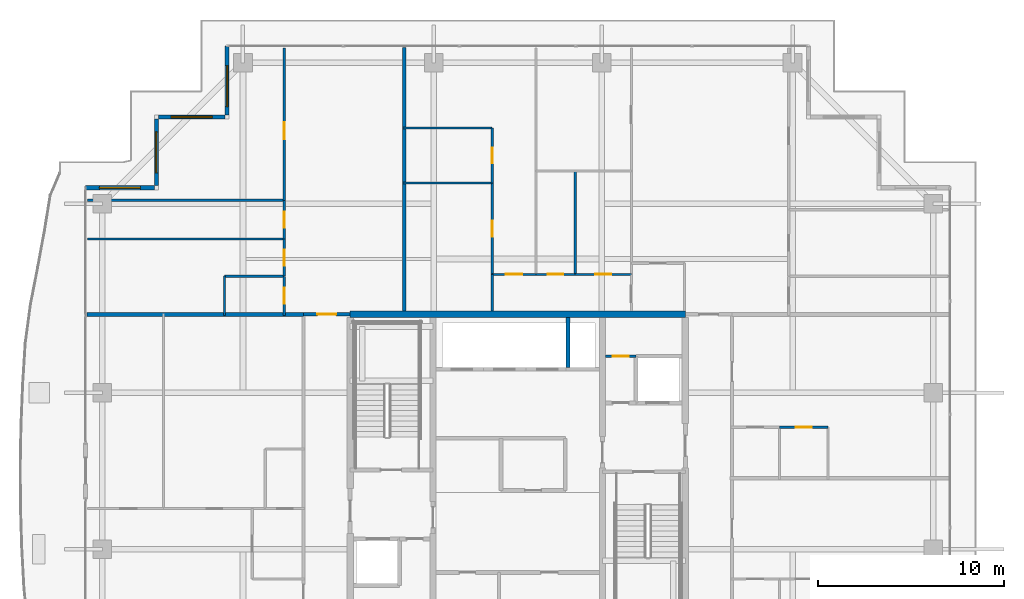
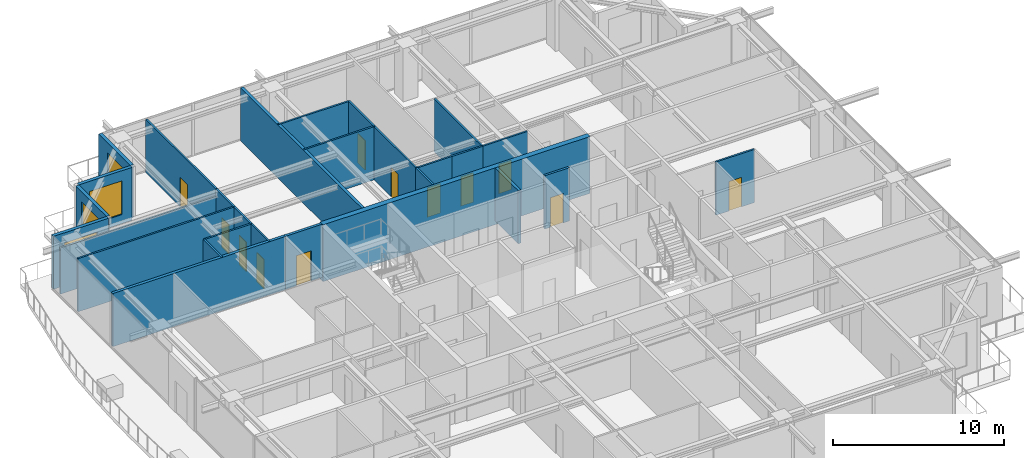
# One storey, part 30 of 38: 28 walls, 12 doors, 4 windows, 16 openings.
"""IFC4 building model written with IfcOpenShell, lengths in metres."""

from ifc_helpers import new_model, si_unit, direction, frame, frame_2d, origin, place, context, subcontext, project, spatial, rectangle, extrude, source, transform, mapped, material, layer, layer_set, type_object, element, fill, save


model = new_model("IFC4")

# Units and contexts
model_context = context("Model", 3, precision=1e-05, world=origin(), true_north=direction((0.0, 1.0)))
body_context = subcontext(model_context, "Body", "Model", "MODEL_VIEW")
ifc_project = project(units=[si_unit("LENGTHUNIT", "METRE"), si_unit("AREAUNIT", "SQUARE_METRE"), si_unit("VOLUMEUNIT", "CUBIC_METRE"), si_unit("PLANEANGLEUNIT", "RADIAN"), si_unit("MASSUNIT", "GRAM", prefix="KILO")], contexts=[model_context])

# Site, building, storey
site_placement = place(None, origin())
site = spatial("IfcSite", under=ifc_project, at=site_placement, CompositionType="ELEMENT")
building_placement = place(site_placement, origin())
building = spatial("IfcBuilding", under=site, at=building_placement, Name="Serunith Strait Residences", CompositionType="ELEMENT")
storey_placement = place(building_placement, frame((0.0, 0.0, 321.800048828125)))
storey = spatial("IfcBuildingStorey", under=building, at=storey_placement, Name="L80", CompositionType="ELEMENT", Elevation=321.800048828125)

# Wall, opening, window
ifc_material_1 = material(Name="Pale-Champagne Aluminium Insulated Panel", Category="aluminium")
ifc_layer_1 = layer(ifc_material_1, 0.219970703125, Name="Pale-Champagne Aluminium Insulated Panel")
ifc_layer_set_1 = layer_set([ifc_layer_1], Name="Pale-Champagne Aluminium Insulated Panel")
wall_type_1 = type_object("IfcWallType", Name="EW-ALUM-220", PredefinedType="ELEMENTEDWALL", material=ifc_layer_set_1)
wall_1_placement = place(storey_placement, frame((16.800048828125, 48.0, 0.0), z_axis=(0.0, 0.0, 1.0), x_axis=(0.0, -1.0, 0.0)))
wall_1 = element("IfcWall", 1, at=wall_1_placement, inside=storey, type_object=wall_type_1, Name="L80 Girih Serrated Corner Wall 12", PredefinedType="ELEMENTEDWALL", context=body_context, shape_type="SweptSolid", body=[
    extrude(rectangle(XDim=3.68994140625, YDim=0.219970703125, at=frame_2d((1.844970703125, 0.0))), origin(), (0.0, 0.0, 1.0), 3.77490234375),
])
opening_1_placement = place(wall_1_placement, frame((1.04296875, 0.0, 0.64990234375)))
opening_1 = element("IfcOpeningElement", 2, at=opening_1_placement, cuts=wall_1, Name="Opening W-06", PredefinedType="OPENING", context=body_context, shape_type="SweptSolid", body=[
    extrude(rectangle(XDim=2.199951171875, YDim=2.39990234375, at=frame_2d((1.10009765625, 1.199951171875))), frame((0.0, 0.1201171875, 0.0), z_axis=(0.0, -1.0, 0.0), x_axis=(1.0, 0.0, 0.0)), (0.0, 0.0, 1.0), 0.239990234375),
])
ifc_material_2 = material(Name="Crown Penthouse Low-E Operable Window Glass", Category="glass")
window_type = type_object("IfcWindowType", Name="WIN-C6", PartitioningType="TRIPLE_PANEL_VERTICAL", PredefinedType="WINDOW", material=ifc_material_2)
shared_shape_1 = source(origin(), body_context, "Body", "SweptSolid", [
    extrude(rectangle(XDim=2.199951171875, YDim=2.39990234375, at=frame_2d((1.10009765625, 1.199951171875))), frame((0.0, 0.030029296875, 0.0), z_axis=(0.0, -1.0, 0.0), x_axis=(1.0, 0.0, 0.0)), (0.0, 0.0, 1.0), 0.06005859375),
])
window_1_placement = place(opening_1_placement, origin())
window_1 = element("IfcWindow", 3, at=window_1_placement, inside=storey, type_object=window_type, Name="L80 Corner Operable Fritted Window 12", OverallHeight=2.39990234375, OverallWidth=2.199951171875, PartitioningType="SINGLE_PANEL", PredefinedType="WINDOW", context=body_context, shape_type="MappedRepresentation", body=[
    mapped(shared_shape_1, transform((0.0, 0.0, 0.0), scale=1.0)),
])
fill(opening_1, window_1)

wall_2_placement = place(storey_placement, frame((16.68994140625, 44.199951171875, 0.0), z_axis=(0.0, 0.0, 1.0), x_axis=(-1.0, 0.0, 0.0)))
wall_2 = element("IfcWall", 4, at=wall_2_placement, inside=storey, type_object=wall_type_1, Name="L80 Girih Serrated Corner Wall 13", PredefinedType="ELEMENTEDWALL", context=body_context, shape_type="SweptSolid", body=[
    extrude(rectangle(XDim=3.579833984375, YDim=0.219970703125, at=frame_2d((1.7900390625, 0.0))), origin(), (0.0, 0.0, 1.0), 3.77490234375),
])
opening_2_placement = place(wall_2_placement, frame((0.68994140625, 0.0, 0.64990234375)))
opening_2 = element("IfcOpeningElement", 5, at=opening_2_placement, cuts=wall_2, Name="Opening W-06", PredefinedType="OPENING", context=body_context, shape_type="SweptSolid", body=[
    extrude(rectangle(XDim=2.199951171875, YDim=2.39990234375, at=frame_2d((1.10009765625, 1.199951171875))), frame((0.0, 0.1201171875, 0.0), z_axis=(0.0, -1.0, 0.0), x_axis=(1.0, 0.0, 0.0)), (0.0, 0.0, 1.0), 0.239990234375),
])
window_2_placement = place(opening_2_placement, origin())
window_2 = element("IfcWindow", 6, at=window_2_placement, inside=storey, type_object=window_type, Name="L80 Corner Operable Fritted Window 13", OverallHeight=2.39990234375, OverallWidth=2.199951171875, PartitioningType="SINGLE_PANEL", PredefinedType="WINDOW", context=body_context, shape_type="MappedRepresentation", body=[
    mapped(shared_shape_1, transform((0.0, 0.0, 0.0), scale=1.0)),
])
fill(opening_2, window_2)

wall_3_placement = place(storey_placement, frame((13.0, 44.090087890625, 0.0), z_axis=(0.0, 0.0, 1.0), x_axis=(0.0, -1.0, 0.0)))
wall_3 = element("IfcWall", 7, at=wall_3_placement, inside=storey, type_object=wall_type_1, Name="L80 Girih Serrated Corner Wall 14", PredefinedType="ELEMENTEDWALL", context=body_context, shape_type="SweptSolid", body=[
    extrude(rectangle(XDim=3.580078125, YDim=0.219970703125, at=frame_2d((1.7900390625, 0.0))), origin(), (0.0, 0.0, 1.0), 3.77490234375),
])
opening_3_placement = place(wall_3_placement, frame((0.68994140625, 0.0, 0.64990234375)))
opening_3 = element("IfcOpeningElement", 8, at=opening_3_placement, cuts=wall_3, Name="Opening W-06", PredefinedType="OPENING", context=body_context, shape_type="SweptSolid", body=[
    extrude(rectangle(XDim=2.199951171875, YDim=2.39990234375, at=frame_2d((1.10009765625, 1.199951171875))), frame((0.0, 0.1201171875, 0.0), z_axis=(0.0, -1.0, 0.0), x_axis=(1.0, 0.0, 0.0)), (0.0, 0.0, 1.0), 0.239990234375),
])
window_3_placement = place(opening_3_placement, origin())
window_3 = element("IfcWindow", 9, at=window_3_placement, inside=storey, type_object=window_type, Name="L80 Corner Operable Fritted Window 14", OverallHeight=2.39990234375, OverallWidth=2.199951171875, PartitioningType="SINGLE_PANEL", PredefinedType="WINDOW", context=body_context, shape_type="MappedRepresentation", body=[
    mapped(shared_shape_1, transform((0.0, 0.0, 0.0), scale=1.0)),
])
fill(opening_3, window_3)

wall_4_placement = place(storey_placement, frame((12.889892578125, 40.39990234375, 0.0), z_axis=(0.0, 0.0, 1.0), x_axis=(-1.0, 0.0, 0.0)))
wall_4 = element("IfcWall", 10, at=wall_4_placement, inside=storey, type_object=wall_type_1, Name="L80 Girih Serrated Corner Wall 15", PredefinedType="ELEMENTEDWALL", context=body_context, shape_type="SweptSolid", body=[
    extrude(rectangle(XDim=3.68994140625, YDim=0.219970703125, at=frame_2d((1.844970703125, 0.0))), origin(), (0.0, 0.0, 1.0), 3.77490234375),
])
opening_4_placement = place(wall_4_placement, frame((0.7451171875, 0.0, 0.64990234375)))
opening_4 = element("IfcOpeningElement", 11, at=opening_4_placement, cuts=wall_4, Name="Opening W-06", PredefinedType="OPENING", context=body_context, shape_type="SweptSolid", body=[
    extrude(rectangle(XDim=2.199951171875, YDim=2.39990234375, at=frame_2d((1.10009765625, 1.199951171875))), frame((0.0, 0.1201171875, 0.0), z_axis=(0.0, -1.0, 0.0), x_axis=(1.0, 0.0, 0.0)), (0.0, 0.0, 1.0), 0.239990234375),
])
window_4_placement = place(opening_4_placement, origin())
window_4 = element("IfcWindow", 12, at=window_4_placement, inside=storey, type_object=window_type, Name="L80 Corner Operable Fritted Window 15", OverallHeight=2.39990234375, OverallWidth=2.199951171875, PartitioningType="SINGLE_PANEL", PredefinedType="WINDOW", context=body_context, shape_type="MappedRepresentation", body=[
    mapped(shared_shape_1, transform((0.0, 0.0, 0.0), scale=1.0)),
])
fill(opening_4, window_4)

# Wall, opening, door
ifc_material_3 = material(Name="Fire-rated masonry service closet wall", Category="masonry")
ifc_layer_2 = layer(ifc_material_3, 0.14990234375, Name="Fire-rated masonry service closet wall")
ifc_layer_set_2 = layer_set([ifc_layer_2], Name="Fire-rated masonry service closet wall")
wall_type_2 = type_object("IfcWallType", Name="IW-BOH-150", PredefinedType="PARTITIONING", material=ifc_layer_set_2)
wall_5_placement = place(storey_placement, frame((37.10009765625, 31.35009765625, 0.0), z_axis=(0.0, 0.0, 1.0), x_axis=(1.0, 0.0, 0.0)))
wall_5 = element("IfcWall", 13, at=wall_5_placement, inside=storey, type_object=wall_type_2, Name="L80 Partition Wall 011", PredefinedType="PARTITIONING", context=body_context, shape_type="SweptSolid", body=[
    extrude(rectangle(XDim=1.64794921875, YDim=0.14990234375, at=frame_2d((0.823974609375, 0.0))), origin(), (0.0, 0.0, 1.0), 3.7900390625),
])
opening_5_placement = place(wall_5_placement, frame((0.39892578125, 0.0, 0.0)))
opening_5 = element("IfcOpeningElement", 14, at=opening_5_placement, cuts=wall_5, Name="Opening FD-850", PredefinedType="OPENING", context=body_context, shape_type="SweptSolid", body=[
    extrude(rectangle(XDim=0.85009765625, YDim=2.10009765625, at=frame_2d((0.425048828125, 1.050048828125))), frame((0.0, 0.0849609375, 0.0), z_axis=(0.0, -1.0, 0.0), x_axis=(1.0, 0.0, 0.0)), (0.0, 0.0, 1.0), 0.169921875),
])
ifc_material_4 = material(Name="Powder-coated steel service closet door", Category="steel")
door_type_1 = type_object("IfcDoorType", Name="FD-BOH-850", OperationType="NOTDEFINED", PredefinedType="DOOR", material=ifc_material_4)
shared_shape_2 = source(origin(), body_context, "Body", "SweptSolid", [
    extrude(rectangle(XDim=0.85009765625, YDim=2.10009765625, at=frame_2d((0.425048828125, 1.050048828125))), frame((0.0, 0.02490234375, 0.0), z_axis=(0.0, -1.0, 0.0), x_axis=(1.0, 0.0, 0.0)), (0.0, 0.0, 1.0), 0.050048828125),
])
door_1_placement = place(opening_5_placement, origin())
door_1 = element("IfcDoor", 15, at=door_1_placement, inside=storey, type_object=door_type_1, Name="L80 Spare Parts Store Door", OperationType="SINGLE_SWING_LEFT", OverallHeight=2.10009765625, OverallWidth=0.85009765625, PredefinedType="DOOR", context=body_context, shape_type="MappedRepresentation", body=[
    mapped(shared_shape_2, transform((0.0, 0.0, 0.0), scale=1.0)),
])
fill(opening_5, door_1)

ifc_material_5 = material(Name="Fire-rated acoustic gypsum partition")
ifc_layer_3 = layer(ifc_material_5, 0.179931640625, Name="Fire-rated acoustic gypsum partition")
ifc_layer_set_3 = layer_set([ifc_layer_3], Name="Fire-rated acoustic gypsum partition")
wall_type_3 = type_object("IfcWallType", Name="IW-CORR-180", PredefinedType="PARTITIONING", material=ifc_layer_set_3)
wall_6_placement = place(storey_placement, frame((20.902099609375, 33.60009765625, 0.0), z_axis=(0.0, 0.0, 1.0), x_axis=(1.0, 0.0, 0.0)))
wall_6 = element("IfcWall", 16, at=wall_6_placement, inside=storey, type_object=wall_type_3, Name="L80 Partition Wall 027", PredefinedType="PARTITIONING", context=body_context, shape_type="SweptSolid", body=[
    extrude(rectangle(XDim=2.495849609375, YDim=0.179931640625, at=frame_2d((1.248046875, 0.0))), origin(), (0.0, 0.0, 1.0), 3.7900390625),
])
opening_6_placement = place(wall_6_placement, frame((0.748046875, 0.0, 0.0)))
opening_6 = element("IfcOpeningElement", 17, at=opening_6_placement, cuts=wall_6, Name="Opening D-APT1000", PredefinedType="OPENING", context=body_context, shape_type="SweptSolid", body=[
    extrude(rectangle(XDim=1.0, YDim=2.14990234375, at=frame_2d((0.5, 1.074951171875))), frame((0.0, 0.10009765625, 0.0), z_axis=(0.0, -1.0, 0.0), x_axis=(1.0, 0.0, 0.0)), (0.0, 0.0, 1.0), 0.199951171875),
])
ifc_material_6 = material(Name="Solid timber engineered fire door", Category="wood")
door_type_2 = type_object("IfcDoorType", Name="ID-APT-1000", OperationType="NOTDEFINED", PredefinedType="DOOR", material=ifc_material_6)
shared_shape_3 = source(origin(), body_context, "Body", "SweptSolid", [
    extrude(rectangle(XDim=1.0, YDim=2.14990234375, at=frame_2d((0.5, 1.074951171875))), frame((0.0, 0.02490234375, 0.0), z_axis=(0.0, -1.0, 0.0), x_axis=(1.0, 0.0, 0.0)), (0.0, 0.0, 1.0), 0.050048828125),
])
door_2_placement = place(opening_6_placement, origin())
door_2 = element("IfcDoor", 18, at=door_2_placement, inside=storey, type_object=door_type_2, Name="L80 Unit 03 Entrance Door", OperationType="SINGLE_SWING_RIGHT", OverallHeight=2.14990234375, OverallWidth=1.0, PredefinedType="DOOR", context=body_context, shape_type="MappedRepresentation", body=[
    mapped(shared_shape_3, transform((0.0, 0.0, 0.0), scale=1.0)),
])
fill(opening_6, door_2)

ifc_material_7 = material(Name="Lightweight steel-stud gypsum partition", Category="steel")
ifc_layer_4 = layer(ifc_material_7, 0.1201171875, Name="Lightweight steel-stud gypsum partition")
ifc_layer_set_4 = layer_set([ifc_layer_4], Name="Lightweight steel-stud gypsum partition")
wall_type_4 = type_object("IfcWallType", Name="IW-PART-120", PredefinedType="PARTITIONING", material=ifc_layer_set_4)
wall_7_placement = place(storey_placement, frame((19.860107421875, 47.905029296875, 0.0), z_axis=(0.0, 0.0, 1.0), x_axis=(0.0, -1.0, 0.0)))
wall_7 = element("IfcWall", 19, at=wall_7_placement, inside=storey, type_object=wall_type_4, Name="L80 Partition Wall 056", PredefinedType="PARTITIONING", context=body_context, shape_type="SweptSolid", body=[
    extrude(rectangle(XDim=8.177001953125, YDim=0.1201171875, at=frame_2d((4.08837890625, 0.0))), origin(), (0.0, 0.0, 1.0), 3.7900390625),
])
opening_7_placement = place(wall_7_placement, frame((4.001953125, 0.0, 0.0)))
opening_7 = element("IfcOpeningElement", 20, at=opening_7_placement, cuts=wall_7, Name="Opening D-RM900", PredefinedType="OPENING", context=body_context, shape_type="SweptSolid", body=[
    extrude(rectangle(XDim=0.89990234375, YDim=2.10009765625, at=frame_2d((0.449951171875, 1.050048828125))), frame((0.0, 0.070068359375, 0.0), z_axis=(0.0, -1.0, 0.0), x_axis=(1.0, 0.0, 0.0)), (0.0, 0.0, 1.0), 0.14013671875),
])
ifc_material_8 = material(Name="Engineered timber flush bedroom door", Category="wood")
door_type_3 = type_object("IfcDoorType", Name="ID-ROOM-900", OperationType="NOTDEFINED", PredefinedType="DOOR", material=ifc_material_8)
shared_shape_4 = source(origin(), body_context, "Body", "SweptSolid", [
    extrude(rectangle(XDim=0.89990234375, YDim=2.10009765625, at=frame_2d((0.449951171875, 1.050048828125))), frame((0.0, 0.02490234375, 0.0), z_axis=(0.0, -1.0, 0.0), x_axis=(1.0, 0.0, 0.0)), (0.0, 0.0, 1.0), 0.050048828125),
])
door_3_placement = place(opening_7_placement, origin())
door_3 = element("IfcDoor", 21, at=door_3_placement, inside=storey, type_object=door_type_3, Name="L80 Master Bedroom 1 8003 Door", OperationType="SINGLE_SWING_RIGHT", OverallHeight=2.10009765625, OverallWidth=0.89990234375, PredefinedType="DOOR", context=body_context, shape_type="MappedRepresentation", body=[
    mapped(shared_shape_4, transform((0.0, 0.0, 0.0), scale=1.0)),
])
fill(opening_7, door_3)

# Walls
wall_8_placement = place(storey_placement, frame((9.294921875, 39.72802734375, 0.0), z_axis=(0.0, 0.0, 1.0), x_axis=(1.0, 0.0, 0.0)))
element("IfcWall", 22, at=wall_8_placement, inside=storey, type_object=wall_type_4, Name="L80 Partition Wall 057", PredefinedType="PARTITIONING", context=body_context, shape_type="SweptSolid", body=[
    extrude(rectangle(XDim=10.565185546875, YDim=0.1201171875, at=frame_2d((5.28271484375, 0.0))), origin(), (0.0, 0.0, 1.0), 3.2919921875),
])
wall_9_placement = place(storey_placement, frame((9.294921875, 37.64990234375, 0.0), z_axis=(0.0, 0.0, 1.0), x_axis=(1.0, 0.0, 0.0)))
element("IfcWall", 23, at=wall_9_placement, inside=storey, type_object=wall_type_4, Name="L80 Partition Wall 058", PredefinedType="PARTITIONING", context=body_context, shape_type="SweptSolid", body=[
    extrude(rectangle(XDim=10.565185546875, YDim=0.1201171875, at=frame_2d((5.28271484375, 0.0))), origin(), (0.0, 0.0, 1.0), 3.7900390625),
])
wall_10_placement = place(storey_placement, frame((16.659912109375, 35.64990234375, 0.0), z_axis=(0.0, 0.0, 1.0), x_axis=(1.0, 0.0, 0.0)))
element("IfcWall", 24, at=wall_10_placement, inside=storey, type_object=wall_type_4, Name="L80 Partition Wall 059", PredefinedType="PARTITIONING", context=body_context, shape_type="SweptSolid", body=[
    extrude(rectangle(XDim=3.2001953125, YDim=0.1201171875, at=frame_2d((1.60009765625, 0.0))), origin(), (0.0, 0.0, 1.0), 3.7900390625),
])
wall_11_placement = place(storey_placement, frame((16.659912109375, 35.64990234375, 0.0), z_axis=(0.0, 0.0, 1.0), x_axis=(0.0, -1.0, 0.0)))
element("IfcWall", 25, at=wall_11_placement, inside=storey, type_object=wall_type_4, Name="L80 Partition Wall 060", PredefinedType="PARTITIONING", context=body_context, shape_type="SweptSolid", body=[
    extrude(rectangle(XDim=2.10986328125, YDim=0.1201171875, at=frame_2d((1.054931640625, 0.0))), origin(), (0.0, 0.0, 1.0), 3.7900390625),
])

# Wall, opening, door
wall_12_placement = place(storey_placement, frame((19.860107421875, 39.72607421875, 0.0), z_axis=(0.0, 0.0, 1.0), x_axis=(0.0, -1.0, 0.0)))
wall_12 = element("IfcWall", 26, at=wall_12_placement, inside=storey, type_object=wall_type_4, Name="L80 Partition Wall 061", PredefinedType="PARTITIONING", context=body_context, shape_type="SweptSolid", body=[
    extrude(rectangle(XDim=2.076171875, YDim=0.1201171875, at=frame_2d((1.0380859375, 0.0))), origin(), (0.0, 0.0, 1.0), 3.7900390625),
])
opening_8_placement = place(wall_12_placement, frame((0.613037109375, 0.0, 0.0)))
opening_8 = element("IfcOpeningElement", 27, at=opening_8_placement, cuts=wall_12, Name="Opening D-RM850", PredefinedType="OPENING", context=body_context, shape_type="SweptSolid", body=[
    extrude(rectangle(XDim=0.85009765625, YDim=2.10009765625, at=frame_2d((0.425048828125, 1.050048828125))), frame((0.0, 0.070068359375, 0.0), z_axis=(0.0, -1.0, 0.0), x_axis=(1.0, 0.0, 0.0)), (0.0, 0.0, 1.0), 0.14013671875),
])
ifc_material_9 = material(Name="Engineered timber flush study and kitchen door", Category="wood")
door_type_4 = type_object("IfcDoorType", Name="ID-ROOM-850", OperationType="NOTDEFINED", PredefinedType="DOOR", material=ifc_material_9)
door_4_placement = place(opening_8_placement, origin())
door_4 = element("IfcDoor", 28, at=door_4_placement, inside=storey, type_object=door_type_4, Name="L80 Dining 8003 Door", OperationType="SINGLE_SWING_LEFT", OverallHeight=2.10009765625, OverallWidth=0.85009765625, PredefinedType="DOOR", context=body_context, shape_type="MappedRepresentation", body=[
    mapped(shared_shape_2, transform((0.0, 0.0, 0.0), scale=1.0)),
])
fill(opening_8, door_4)

wall_13_placement = place(storey_placement, frame((19.860107421875, 37.64794921875, 0.0), z_axis=(0.0, 0.0, 1.0), x_axis=(0.0, -1.0, 0.0)))
wall_13 = element("IfcWall", 29, at=wall_13_placement, inside=storey, type_object=wall_type_4, Name="L80 Partition Wall 062", PredefinedType="PARTITIONING", context=body_context, shape_type="SweptSolid", body=[
    extrude(rectangle(XDim=1.998046875, YDim=0.1201171875, at=frame_2d((0.9990234375, 0.0))), origin(), (0.0, 0.0, 1.0), 3.7900390625),
])
opening_9_placement = place(wall_13_placement, frame((0.573974609375, 0.0, 0.0)))
opening_9 = element("IfcOpeningElement", 30, at=opening_9_placement, cuts=wall_13, Name="Opening D-RM850", PredefinedType="OPENING", context=body_context, shape_type="SweptSolid", body=[
    extrude(rectangle(XDim=0.85009765625, YDim=2.10009765625, at=frame_2d((0.425048828125, 1.050048828125))), frame((0.0, 0.070068359375, 0.0), z_axis=(0.0, -1.0, 0.0), x_axis=(1.0, 0.0, 0.0)), (0.0, 0.0, 1.0), 0.14013671875),
])
door_5_placement = place(opening_9_placement, origin())
door_5 = element("IfcDoor", 31, at=door_5_placement, inside=storey, type_object=door_type_4, Name="L80 Kitchen 8003 Door", OperationType="SINGLE_SWING_RIGHT", OverallHeight=2.10009765625, OverallWidth=0.85009765625, PredefinedType="DOOR", context=body_context, shape_type="MappedRepresentation", body=[
    mapped(shared_shape_2, transform((0.0, 0.0, 0.0), scale=1.0)),
])
fill(opening_9, door_5)

wall_14_placement = place(storey_placement, frame((19.860107421875, 35.64794921875, 0.0), z_axis=(0.0, 0.0, 1.0), x_axis=(0.0, -1.0, 0.0)))
wall_14 = element("IfcWall", 32, at=wall_14_placement, inside=storey, type_object=wall_type_4, Name="L80 Partition Wall 063", PredefinedType="PARTITIONING", context=body_context, shape_type="SweptSolid", body=[
    extrude(rectangle(XDim=2.10791015625, YDim=0.1201171875, at=frame_2d((1.053955078125, 0.0))), origin(), (0.0, 0.0, 1.0), 3.7900390625),
])
opening_10_placement = place(wall_14_placement, frame((0.62890625, 0.0, 0.0)))
opening_10 = element("IfcOpeningElement", 33, at=opening_10_placement, cuts=wall_14, Name="Opening D-BTH850", PredefinedType="OPENING", context=body_context, shape_type="SweptSolid", body=[
    extrude(rectangle(XDim=0.85009765625, YDim=2.10009765625, at=frame_2d((0.425048828125, 1.050048828125))), frame((0.0, 0.070068359375, 0.0), z_axis=(0.0, -1.0, 0.0), x_axis=(1.0, 0.0, 0.0)), (0.0, 0.0, 1.0), 0.14013671875),
])
ifc_material_10 = material(Name="Moisture-resistant timber bathroom door", Category="wood")
door_type_5 = type_object("IfcDoorType", Name="ID-BATH-850", OperationType="NOTDEFINED", PredefinedType="DOOR", material=ifc_material_10)
door_6_placement = place(opening_10_placement, origin())
door_6 = element("IfcDoor", 34, at=door_6_placement, inside=storey, type_object=door_type_5, Name="L80 Bathroom 8003 Door", OperationType="SINGLE_SWING_LEFT", OverallHeight=2.10009765625, OverallWidth=0.85009765625, PredefinedType="DOOR", context=body_context, shape_type="MappedRepresentation", body=[
    mapped(shared_shape_2, transform((0.0, 0.0, 0.0), scale=1.0)),
])
fill(opening_10, door_6)

# Wall
wall_15_placement = place(storey_placement, frame((35.47998046875, 41.304931640625, 0.0), z_axis=(0.0, 0.0, 1.0), x_axis=(0.0, -1.0, 0.0)))
element("IfcWall", 35, at=wall_15_placement, inside=storey, type_object=wall_type_4, Name="L80 Partition Wall 071", PredefinedType="PARTITIONING", context=body_context, shape_type="SweptSolid", body=[
    extrude(rectangle(XDim=5.554931640625, YDim=0.1201171875, at=frame_2d((2.77734375, 0.0))), origin(), (0.0, 0.0, 1.0), 3.7900390625),
])

# Wall, opening, door
wall_16_placement = place(storey_placement, frame((33.3798828125, 35.75, 0.0), z_axis=(0.0, 0.0, 1.0), x_axis=(1.0, 0.0, 0.0)))
wall_16 = element("IfcWall", 36, at=wall_16_placement, inside=storey, type_object=wall_type_4, Name="L80 Partition Wall 072", PredefinedType="PARTITIONING", context=body_context, shape_type="SweptSolid", body=[
    extrude(rectangle(XDim=2.10009765625, YDim=0.1201171875, at=frame_2d((1.050048828125, 0.0))), origin(), (0.0, 0.0, 1.0), 3.7900390625),
])
opening_11_placement = place(wall_16_placement, frame((0.625, 0.0, 0.0)))
opening_11 = element("IfcOpeningElement", 37, at=opening_11_placement, cuts=wall_16, Name="Opening D-BTH850", PredefinedType="OPENING", context=body_context, shape_type="SweptSolid", body=[
    extrude(rectangle(XDim=0.85009765625, YDim=2.10009765625, at=frame_2d((0.425048828125, 1.050048828125))), frame((0.0, 0.070068359375, 0.0), z_axis=(0.0, -1.0, 0.0), x_axis=(1.0, 0.0, 0.0)), (0.0, 0.0, 1.0), 0.14013671875),
])
door_7_placement = place(opening_11_placement, origin())
door_7 = element("IfcDoor", 38, at=door_7_placement, inside=storey, type_object=door_type_5, Name="L80 Bathroom 8004 Door", OperationType="SINGLE_SWING_LEFT", OverallHeight=2.10009765625, OverallWidth=0.85009765625, PredefinedType="DOOR", context=body_context, shape_type="MappedRepresentation", body=[
    mapped(shared_shape_2, transform((0.0, 0.0, 0.0), scale=1.0)),
])
fill(opening_11, door_7)

wall_17_placement = place(storey_placement, frame((35.48193359375, 35.75, 0.0), z_axis=(0.0, 0.0, 1.0), x_axis=(1.0, 0.0, 0.0)))
wall_17 = element("IfcWall", 39, at=wall_17_placement, inside=storey, type_object=wall_type_4, Name="L80 Partition Wall 073", PredefinedType="PARTITIONING", context=body_context, shape_type="SweptSolid", body=[
    extrude(rectangle(XDim=3.01806640625, YDim=0.1201171875, at=frame_2d((1.509033203125, 0.0))), origin(), (0.0, 0.0, 1.0), 3.7900390625),
])
opening_12_placement = place(wall_17_placement, frame((1.083984375, 0.0, 0.0)))
opening_12 = element("IfcOpeningElement", 40, at=opening_12_placement, cuts=wall_17, Name="Opening D-RM850", PredefinedType="OPENING", context=body_context, shape_type="SweptSolid", body=[
    extrude(rectangle(XDim=0.85009765625, YDim=2.10009765625, at=frame_2d((0.425048828125, 1.050048828125))), frame((0.0, 0.070068359375, 0.0), z_axis=(0.0, -1.0, 0.0), x_axis=(1.0, 0.0, 0.0)), (0.0, 0.0, 1.0), 0.14013671875),
])
door_8_placement = place(opening_12_placement, origin())
door_8 = element("IfcDoor", 41, at=door_8_placement, inside=storey, type_object=door_type_4, Name="L80 Formal Dining Room 8004 Door", OperationType="SINGLE_SWING_RIGHT", OverallHeight=2.10009765625, OverallWidth=0.85009765625, PredefinedType="DOOR", context=body_context, shape_type="MappedRepresentation", body=[
    mapped(shared_shape_2, transform((0.0, 0.0, 0.0), scale=1.0)),
])
fill(opening_12, door_8)

wall_18_placement = place(storey_placement, frame((31.030029296875, 35.75, 0.0), z_axis=(0.0, 0.0, 1.0), x_axis=(1.0, 0.0, 0.0)))
wall_18 = element("IfcWall", 42, at=wall_18_placement, inside=storey, type_object=wall_type_4, Name="L80 Partition Wall 074", PredefinedType="PARTITIONING", context=body_context, shape_type="SweptSolid", body=[
    extrude(rectangle(XDim=2.347900390625, YDim=0.1201171875, at=frame_2d((1.173828125, 0.0))), origin(), (0.0, 0.0, 1.0), 3.7900390625),
])
opening_13_placement = place(wall_18_placement, frame((0.72412109375, 0.0, 0.0)))
opening_13 = element("IfcOpeningElement", 43, at=opening_13_placement, cuts=wall_18, Name="Opening D-RM900", PredefinedType="OPENING", context=body_context, shape_type="SweptSolid", body=[
    extrude(rectangle(XDim=0.89990234375, YDim=2.10009765625, at=frame_2d((0.449951171875, 1.050048828125))), frame((0.0, 0.070068359375, 0.0), z_axis=(0.0, -1.0, 0.0), x_axis=(1.0, 0.0, 0.0)), (0.0, 0.0, 1.0), 0.14013671875),
])
door_9_placement = place(opening_13_placement, origin())
door_9 = element("IfcDoor", 44, at=door_9_placement, inside=storey, type_object=door_type_3, Name="L80 Master Bedroom W 8004 Door", OperationType="SINGLE_SWING_LEFT", OverallHeight=2.10009765625, OverallWidth=0.89990234375, PredefinedType="DOOR", context=body_context, shape_type="MappedRepresentation", body=[
    mapped(shared_shape_4, transform((0.0, 0.0, 0.0), scale=1.0)),
])
fill(opening_13, door_9)

# Walls
for number, where, z_axis, x_axis, name in (
    (45, (26.239990234375, 43.612060546875, 0.0), (0.0, 0.0, 1.0), (1.0, 0.0, 0.0), "L80 Partition Wall 075"),
    (46, (26.239990234375, 40.652099609375, 0.0), (0.0, 0.0, 1.0), (1.0, 0.0, 0.0), "L80 Partition Wall 076"),
):
    element("IfcWall", number, at=place(storey_placement, frame(where, z_axis=z_axis, x_axis=x_axis)), inside=storey, type_object=wall_type_4, Name=name, PredefinedType="PARTITIONING", context=body_context, shape_type="SweptSolid", body=[
        extrude(rectangle(XDim=4.7900390625, YDim=0.1201171875, at=frame_2d((2.39501953125, 0.0))), origin(), (0.0, 0.0, 1.0), 3.7900390625),
    ])

# Wall, opening, door
wall_19_placement = place(storey_placement, frame((31.030029296875, 43.612060546875, 0.0), z_axis=(0.0, 0.0, 1.0), x_axis=(0.0, -1.0, 0.0)))
wall_19 = element("IfcWall", 47, at=wall_19_placement, inside=storey, type_object=wall_type_4, Name="L80 Partition Wall 077", PredefinedType="PARTITIONING", context=body_context, shape_type="SweptSolid", body=[
    extrude(rectangle(XDim=2.9599609375, YDim=0.1201171875, at=frame_2d((1.47998046875, 0.0))), origin(), (0.0, 0.0, 1.0), 3.7900390625),
])
opening_14_placement = place(wall_19_placement, frame((1.054931640625, 0.0, 0.0)))
opening_14 = element("IfcOpeningElement", 48, at=opening_14_placement, cuts=wall_19, Name="Opening D-BTH850", PredefinedType="OPENING", context=body_context, shape_type="SweptSolid", body=[
    extrude(rectangle(XDim=0.85009765625, YDim=2.10009765625, at=frame_2d((0.425048828125, 1.050048828125))), frame((0.0, 0.070068359375, 0.0), z_axis=(0.0, -1.0, 0.0), x_axis=(1.0, 0.0, 0.0)), (0.0, 0.0, 1.0), 0.14013671875),
])
door_10_placement = place(opening_14_placement, origin())
door_10 = element("IfcDoor", 49, at=door_10_placement, inside=storey, type_object=door_type_5, Name="L80 En-suite Bathroom W 8004 Door", OperationType="SINGLE_SWING_RIGHT", OverallHeight=2.10009765625, OverallWidth=0.85009765625, PredefinedType="DOOR", context=body_context, shape_type="MappedRepresentation", body=[
    mapped(shared_shape_2, transform((0.0, 0.0, 0.0), scale=1.0)),
])
fill(opening_14, door_10)

wall_20_placement = place(storey_placement, frame((31.030029296875, 40.64990234375, 0.0), z_axis=(0.0, 0.0, 1.0), x_axis=(0.0, -1.0, 0.0)))
wall_20 = element("IfcWall", 50, at=wall_20_placement, inside=storey, type_object=wall_type_4, Name="L80 Partition Wall 078", PredefinedType="PARTITIONING", context=body_context, shape_type="SweptSolid", body=[
    extrude(rectangle(XDim=4.89990234375, YDim=0.1201171875, at=frame_2d((2.449951171875, 0.0))), origin(), (0.0, 0.0, 1.0), 3.7900390625),
])
opening_15_placement = place(wall_20_placement, frame((2.02490234375, 0.0, 0.0)))
opening_15 = element("IfcOpeningElement", 51, at=opening_15_placement, cuts=wall_20, Name="Opening D-RM850", PredefinedType="OPENING", context=body_context, shape_type="SweptSolid", body=[
    extrude(rectangle(XDim=0.85009765625, YDim=2.10009765625, at=frame_2d((0.425048828125, 1.050048828125))), frame((0.0, 0.070068359375, 0.0), z_axis=(0.0, -1.0, 0.0), x_axis=(1.0, 0.0, 0.0)), (0.0, 0.0, 1.0), 0.14013671875),
])
door_11_placement = place(opening_15_placement, origin())
door_11 = element("IfcDoor", 52, at=door_11_placement, inside=storey, type_object=door_type_4, Name="L80 Wardrobe W 8004 Door", OperationType="SINGLE_SWING_LEFT", OverallHeight=2.10009765625, OverallWidth=0.85009765625, PredefinedType="DOOR", context=body_context, shape_type="MappedRepresentation", body=[
    mapped(shared_shape_2, transform((0.0, 0.0, 0.0), scale=1.0)),
])
fill(opening_15, door_11)

# Wall
wall_21_placement = place(storey_placement, frame((31.030029296875, 35.748046875, 0.0), z_axis=(0.0, 0.0, 1.0), x_axis=(0.0, -1.0, 0.0)))
element("IfcWall", 53, at=wall_21_placement, inside=storey, type_object=wall_type_4, Name="L80 Partition Wall 079", PredefinedType="PARTITIONING", context=body_context, shape_type="SweptSolid", body=[
    extrude(rectangle(XDim=1.97314453125, YDim=0.1201171875, at=frame_2d((0.986572265625, 0.0))), origin(), (0.0, 0.0, 1.0), 3.7900390625),
])

# Wall, opening, door
wall_22_placement = place(storey_placement, frame((49.050048828125, 27.550048828125, 0.0), z_axis=(0.0, 0.0, 1.0), x_axis=(-1.0, 0.0, 0.0)))
wall_22 = element("IfcWall", 54, at=wall_22_placement, inside=storey, type_object=wall_type_4, Name="L80 Partition Wall 097", PredefinedType="PARTITIONING", context=body_context, shape_type="SweptSolid", body=[
    extrude(rectangle(XDim=2.60009765625, YDim=0.1201171875, at=frame_2d((1.300048828125, 0.0))), origin(), (0.0, 0.0, 1.0), 3.7900390625),
])
opening_16_placement = place(wall_22_placement, frame((0.875, 0.0, 0.0)))
opening_16 = element("IfcOpeningElement", 55, at=opening_16_placement, cuts=wall_22, Name="Opening D-RM850", PredefinedType="OPENING", context=body_context, shape_type="SweptSolid", body=[
    extrude(rectangle(XDim=0.85009765625, YDim=2.10009765625, at=frame_2d((0.425048828125, 1.050048828125))), frame((0.0, 0.070068359375, 0.0), z_axis=(0.0, -1.0, 0.0), x_axis=(1.0, 0.0, 0.0)), (0.0, 0.0, 1.0), 0.14013671875),
])
door_12_placement = place(opening_16_placement, origin())
door_12 = element("IfcDoor", 56, at=door_12_placement, inside=storey, type_object=door_type_4, Name="L80 Kitchen 8007 Door", OperationType="SINGLE_SWING_LEFT", OverallHeight=2.10009765625, OverallWidth=0.85009765625, PredefinedType="DOOR", context=body_context, shape_type="MappedRepresentation", body=[
    mapped(shared_shape_2, transform((0.0, 0.0, 0.0), scale=1.0)),
])
fill(opening_16, door_12)

# Walls
ifc_material_11 = material(Name="Twin-stud acoustic gypsum board partition")
ifc_layer_5 = layer(ifc_material_11, 0.199951171875, Name="Twin-stud acoustic gypsum board partition")
ifc_layer_set_5 = layer_set([ifc_layer_5], Name="Twin-stud acoustic gypsum board partition")
wall_type_5 = type_object("IfcWallType", Name="IW-PARTY-200", PredefinedType="PARTITIONING", material=ifc_layer_set_5)
wall_23_placement = place(storey_placement, frame((26.300048828125, 33.77490234375, 0.0), z_axis=(0.0, 0.0, 1.0), x_axis=(0.0, 1.0, 0.0)))
element("IfcWall", 57, at=wall_23_placement, inside=storey, type_object=wall_type_5, Name="L80 Partition Wall 020", PredefinedType="PARTITIONING", context=body_context, shape_type="SweptSolid", body=[
    extrude(rectangle(XDim=14.14306640625, YDim=0.199951171875, at=frame_2d((7.071533203125, 0.0))), origin(), (0.0, 0.0, 1.0), 3.7900390625),
])
wall_24_placement = place(storey_placement, frame((9.281982421875, 33.60009765625, 0.0), z_axis=(0.0, 0.0, 1.0), x_axis=(1.0, 0.0, 0.0)))
element("IfcWall", 58, at=wall_24_placement, inside=storey, type_object=wall_type_5, Name="L80 Partition Wall 024", PredefinedType="PARTITIONING", context=body_context, shape_type="SweptSolid", body=[
    extrude(rectangle(XDim=11.617919921875, YDim=0.199951171875, at=frame_2d((5.80908203125, 0.0))), origin(), (0.0, 0.0, 1.0), 3.7900390625),
])
ifc_material_12 = material(Name="Autoclaved aerated concrete blockwork", Category="masonry")
ifc_layer_6 = layer(ifc_material_12, 0.199951171875, Name="Autoclaved aerated concrete blockwork")
ifc_layer_set_6 = layer_set([ifc_layer_6], Name="Autoclaved aerated concrete blockwork")
wall_type_6 = type_object("IfcWallType", Name="IW-SHAFT-200", PredefinedType="STANDARD", material=ifc_layer_set_6)
wall_25_placement = place(storey_placement, frame((35.10009765625, 30.75, 0.0), z_axis=(0.0, 0.0, 1.0), x_axis=(0.0, 1.0, 0.0)))
element("IfcWall", 59, at=wall_25_placement, inside=storey, type_object=wall_type_6, Name="L80 SL-1 West Shaft Wall", PredefinedType="STANDARD", context=body_context, shape_type="SweptSolid", body=[
    extrude(rectangle(XDim=2.675048828125, YDim=0.199951171875, at=frame_2d((1.33740234375, 0.0))), origin(), (0.0, 0.0, 1.0), 3.7900390625),
])
ifc_material_13 = material(Name="Concrete C60/75", Category="concrete")
ifc_layer_7 = layer(ifc_material_13, 0.35009765625, Name="Concrete C60/75")
ifc_layer_set_7 = layer_set([ifc_layer_7], Name="Concrete C60/75")
wall_type_7 = type_object("IfcWallType", Name="SW-350-C60", PredefinedType="SHEAR", material=ifc_layer_set_7)
wall_26_placement = place(storey_placement, frame((41.39990234375, 33.60009765625, -0.260009765625), z_axis=(0.0, 0.0, 1.0), x_axis=(-1.0, 0.0, 0.0)))
element("IfcWall", 60, at=wall_26_placement, inside=storey, type_object=wall_type_7, Name="L80 Core North Shear Wall", PredefinedType="SHEAR", context=body_context, shape_type="SweptSolid", body=[
    extrude(rectangle(XDim=18.0, YDim=0.35009765625, at=frame_2d((9.0, 0.0))), origin(), (0.0, 0.0, 1.0), 4.0478515625),
])

save(model, "model.ifc")
